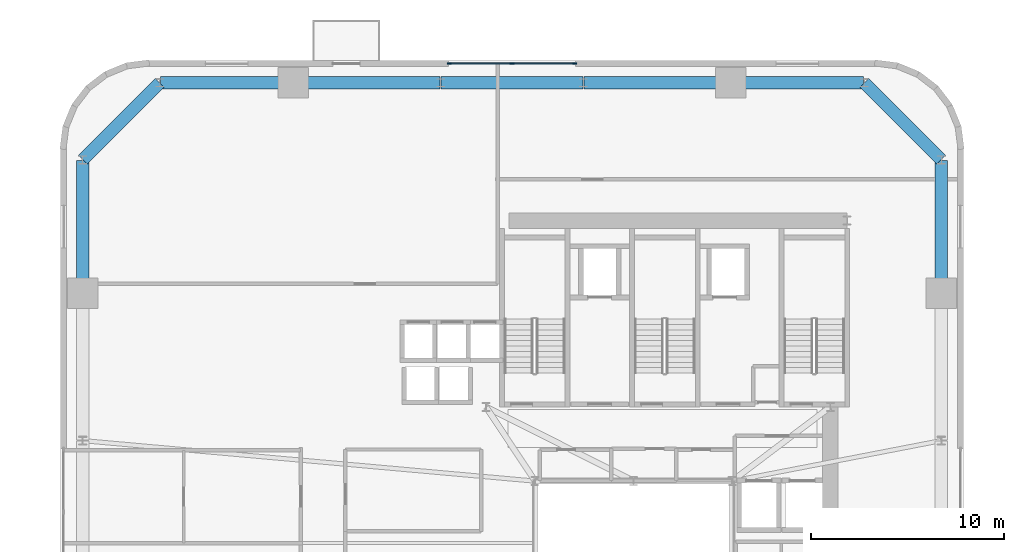
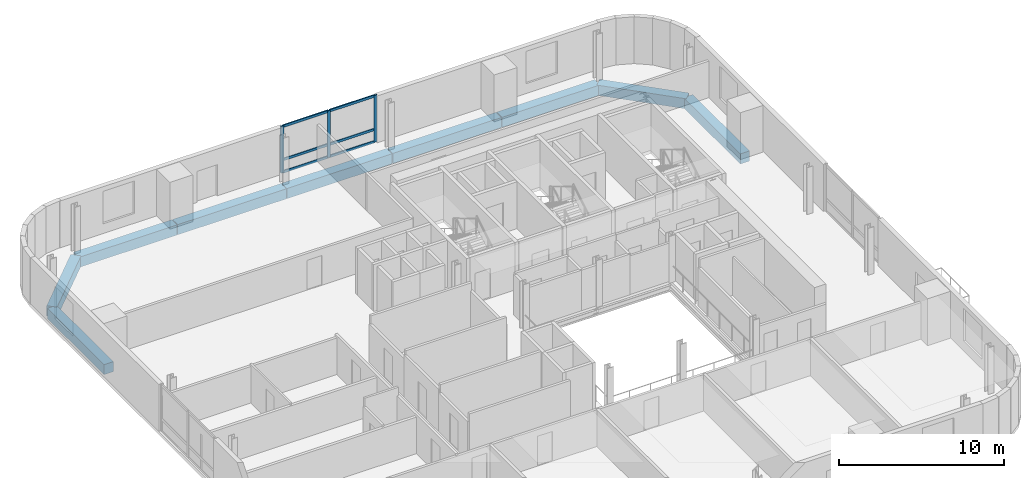
# One storey, part 4 of 13: 9 beams, 9 members, 1 element without a shape of its own.
"""IFC4 building model written with IfcOpenShell, lengths in metres."""

import ifcopenshell
import ifcopenshell.guid

model = None  # the IFC model being written
_history = None  # IfcOwnerHistory: only IFC2X3 demands one
_inside = {}  # id of a spatial element -> (the spatial element, [elements in it])
_under = {}  # id of a project, library or spatial element -> (it, [spatial elements below it])
_declared = {}  # id of a project -> (the project, [libraries it declares])
_typed = {}  # id of a type object -> (the type object, [elements of that type])
_made_of = {}  # id of a material, layer set ... -> (it, [elements and type objects made of it])


def new_model(schema):
    """Start an empty IFC model of exactly this schema.

    Asked for "IFC4X3", IfcOpenShell would pick the latest addendum, in which some entities
    have other attributes; the version numbers below select the first issue.
    IFC2X3 requires an IfcOwnerHistory on every rooted entity: one is made here for all.
    """
    global model, _history
    if schema == "IFC4X3":
        model = ifcopenshell.file(schema_version=(4, 3, 0, 0))
    else:
        model = ifcopenshell.file(schema=schema)
    _inside.clear()
    _under.clear()
    _declared.clear()
    _typed.clear()
    _made_of.clear()
    _history = None
    if model.schema == "IFC2X3":
        org = make("IfcOrganization", Name="unknown")
        user = make(
            "IfcPersonAndOrganization",
            ThePerson=make("IfcPerson", FamilyName="unknown"),
            TheOrganization=org,
        )
        app = make(
            "IfcApplication",
            ApplicationDeveloper=org,
            Version="unknown",
            ApplicationFullName="unknown",
            ApplicationIdentifier="unknown",
        )
        _history = make(
            "IfcOwnerHistory",
            OwningUser=user,
            OwningApplication=app,
            ChangeAction="ADDED",
            CreationDate=0,
        )
    return model


def make(cls, **values):
    """One entity of the class cls with the attributes given. An attribute that is None is left unset."""
    return model.create_entity(
        cls, **{name: value for name, value in values.items() if value is not None}
    )


def rooted(cls, **values):
    """An entity with a GlobalId (a new one), such as an element, a storey or a relation."""
    return make(cls, GlobalId=ifcopenshell.guid.new(), OwnerHistory=_history, **values)


def si_unit(unit_type, name, prefix=None):
    """IfcSIUnit, for example si_unit("LENGTHUNIT", "METRE", prefix="MILLI")."""
    return make("IfcSIUnit", UnitType=unit_type, Prefix=prefix, Name=name)


def assignment(units):
    """IfcUnitAssignment: the units of a project."""
    return None if units is None else make("IfcUnitAssignment", Units=units)


def point(xyz):
    """IfcCartesianPoint."""
    return None if xyz is None else make("IfcCartesianPoint", Coordinates=xyz)


def direction(xyz):
    """IfcDirection."""
    return None if xyz is None else make("IfcDirection", DirectionRatios=xyz)


def frame(location, z_axis=None, x_axis=None):
    """IfcAxis2Placement3D, a coordinate frame: its origin and axes. An axis left out is left unset."""
    return make(
        "IfcAxis2Placement3D",
        Location=point(location),
        Axis=direction(z_axis),
        RefDirection=direction(x_axis),
    )


def frame_2d(location, x_axis=None):
    """IfcAxis2Placement2D, a coordinate frame in the plane: its origin and x axis."""
    return make(
        "IfcAxis2Placement2D", Location=point(location), RefDirection=direction(x_axis)
    )


def origin():
    """The frame at (0, 0, 0) with its axes left unset."""
    return frame((0.0, 0.0, 0.0))


def origin_2d():
    """The frame at (0, 0) in the plane with its x axis left unset."""
    return frame_2d((0.0, 0.0))


def place(relative_to, where):
    """IfcLocalPlacement: puts the frame where relative to a parent placement (None: the world)."""
    return make(
        "IfcLocalPlacement", PlacementRelTo=relative_to, RelativePlacement=where
    )


def context(
    kind, dimensions, precision=None, world=None, true_north=None, identifier=None
):
    """IfcGeometricRepresentationContext, for example the 3D "Model" context."""
    return make(
        "IfcGeometricRepresentationContext",
        ContextIdentifier=identifier,
        ContextType=kind,
        CoordinateSpaceDimension=dimensions,
        Precision=precision,
        WorldCoordinateSystem=world,
        TrueNorth=true_north,
    )


def subcontext(parent, identifier, kind, view, scale=None):
    """IfcGeometricRepresentationSubContext, for example "Body" below "Model"."""
    return make(
        "IfcGeometricRepresentationSubContext",
        ContextIdentifier=identifier,
        ContextType=kind,
        ParentContext=parent,
        TargetScale=scale,
        TargetView=view,
    )


def project(units=None, contexts=None):
    """IfcProject with its units and contexts."""
    return rooted(
        "IfcProject",
        Name="project",
        RepresentationContexts=contexts,
        UnitsInContext=assignment(units),
    )


def spatial(cls, under=None, at=None, **own):
    """A site, building, storey or space (cls), placed at a placement, below another one or the project."""
    s = rooted(cls, ObjectPlacement=at, **own)
    if under is not None:
        _under.setdefault(under.id(), (under, []))[1].append(s)
    return s


def profile(cls, at=None, kind="AREA", **sizes):
    """A parametric profile (cls). Its sizes go by their IFC names, for example OverallWidth=200.0."""
    return make(cls, ProfileType=kind, Position=at, **sizes)


def rectangle(**sizes):
    """IfcRectangleProfileDef."""
    return profile("IfcRectangleProfileDef", **sizes)


def extrude(swept, where, along, depth):
    """IfcExtrudedAreaSolid: the profile swept, set in the frame where, extruded along a direction by depth."""
    return make(
        "IfcExtrudedAreaSolid",
        SweptArea=swept,
        Position=where,
        ExtrudedDirection=direction(along),
        Depth=depth,
    )


def shape(context_of_items, identifier, shape_type, items):
    """IfcShapeRepresentation: the items that make up one representation, for example the "Body"."""
    return make(
        "IfcShapeRepresentation",
        ContextOfItems=context_of_items,
        RepresentationIdentifier=identifier,
        RepresentationType=shape_type,
        Items=items,
    )


def source(mapping_origin, context_of_items, identifier, shape_type, items):
    """IfcRepresentationMap: a shape defined once, which mapped items show again and again."""
    return make(
        "IfcRepresentationMap",
        MappingOrigin=mapping_origin,
        MappedRepresentation=shape(context_of_items, identifier, shape_type, items),
    )


def transform(
    local_origin,
    x_axis=None,
    y_axis=None,
    z_axis=None,
    scale=None,
    scale2=None,
    scale3=None,
    uniform=True,
):
    """IfcCartesianTransformationOperator3D, or its non-uniform kind. x_axis, y_axis, z_axis: its Axis1, 2, 3."""
    if uniform:
        return make(
            "IfcCartesianTransformationOperator3D",
            Axis1=direction(x_axis),
            Axis2=direction(y_axis),
            LocalOrigin=point(local_origin),
            Scale=scale,
            Axis3=direction(z_axis),
        )
    return make(
        "IfcCartesianTransformationOperator3DnonUniform",
        Axis1=direction(x_axis),
        Axis2=direction(y_axis),
        LocalOrigin=point(local_origin),
        Scale=scale,
        Axis3=direction(z_axis),
        Scale2=scale2,
        Scale3=scale3,
    )


def mapped(mapping_source, mapping_target):
    """IfcMappedItem: shows the shape of a source again, moved by a transform."""
    return make(
        "IfcMappedItem", MappingSource=mapping_source, MappingTarget=mapping_target
    )


def material(Name=None, Category=None):
    """IfcMaterial."""
    return make("IfcMaterial", Name=Name, Category=Category)


def material_profile(
    of_material, cross_section, Name=None, Category=None, Priority=None
):
    """IfcMaterialProfile: a cross section and its material."""
    return make(
        "IfcMaterialProfile",
        Name=Name,
        Material=of_material,
        Profile=cross_section,
        Priority=Priority,
        Category=Category,
    )


def profile_set(profiles, Name=None, composite=None):
    """IfcMaterialProfileSet."""
    return make(
        "IfcMaterialProfileSet",
        Name=Name,
        MaterialProfiles=profiles,
        CompositeProfile=composite,
    )


def made_of(thing, what):
    """Note that an element or type object is made of a material, layer set ...; save() writes the relation."""
    if what is not None:
        _made_of.setdefault(what.id(), (what, []))[1].append(thing)
    return thing


def type_object(cls, material=None, **own):
    """A type object (cls), such as IfcWallType, which elements share."""
    return made_of(rooted(cls, **own), material)


def element(
    cls,
    number,
    at=None,
    inside=None,
    cuts=None,
    type_object=None,
    material=None,
    context=None,
    identifier="Body",
    shape_type=None,
    held_by="IfcProductDefinitionShape",
    body=None,
    shapes=None,
    **own,
):
    """One element of the class cls, such as IfcWall. Its Tag is "e" and its number.

    at: its placement. inside: the storey or other place that contains it. cuts: it is an
    opening in that element (IfcRelVoidsElement). A single representation is given by context,
    identifier, shape_type and body (its items); several are given by shapes. held_by: the class
    of the entity that holds the representations. save() writes the other relations.
    """
    e = rooted(cls, Tag="e%d" % number, ObjectPlacement=at, **own)
    if body is not None:
        shapes = [shape(context, identifier, shape_type, body)]
    if shapes is not None:
        e.Representation = make(held_by, Representations=shapes)
    if inside is not None:
        _inside.setdefault(inside.id(), (inside, []))[1].append(e)
    if cuts is not None:
        rooted(
            "IfcRelVoidsElement", RelatingBuildingElement=cuts, RelatedOpeningElement=e
        )
    if type_object is not None:
        _typed.setdefault(type_object.id(), (type_object, []))[1].append(e)
    return made_of(e, material)


def aggregate(whole, parts):
    """IfcRelAggregates: a whole, such as a stair, and the parts it consists of."""
    return rooted("IfcRelAggregates", RelatingObject=whole, RelatedObjects=parts)


def save(model, path):
    """Write the relations noted so far, then the file.

    IfcRelAggregates (storeys below a building ...), IfcRelContainedInSpatialStructure (elements
    in a storey), IfcRelDefinesByType, IfcRelAssociatesMaterial and IfcRelDeclares: one each for
    every whole, place, type object, material and project.
    """
    for whole, parts in _under.values():
        aggregate(whole, parts)
    for where, things in _inside.values():
        rooted(
            "IfcRelContainedInSpatialStructure",
            RelatedElements=things,
            RelatingStructure=where,
        )
    for kind, things in _typed.values():
        rooted("IfcRelDefinesByType", RelatedObjects=things, RelatingType=kind)
    for what, things in _made_of.values():
        rooted("IfcRelAssociatesMaterial", RelatedObjects=things, RelatingMaterial=what)
    for by, libraries in _declared.values():
        rooted("IfcRelDeclares", RelatingContext=by, RelatedDefinitions=libraries)
    model.write(path)


model = new_model("IFC4")

# Units and contexts
model_context = context("Model", 3, precision=1e-05, world=origin(), true_north=direction((0.0, 1.0)))
body_context = subcontext(model_context, "Body", "Model", "MODEL_VIEW")
ifc_project = project(units=[si_unit("LENGTHUNIT", "METRE"), si_unit("AREAUNIT", "SQUARE_METRE"), si_unit("VOLUMEUNIT", "CUBIC_METRE"), si_unit("PLANEANGLEUNIT", "RADIAN"), si_unit("MASSUNIT", "GRAM", prefix="KILO")], contexts=[model_context])

# Site, building, storey
site_placement = place(None, origin())
site = spatial("IfcSite", under=ifc_project, at=site_placement, CompositionType="ELEMENT")
building_placement = place(site_placement, origin())
building = spatial("IfcBuilding", under=site, at=building_placement, Name="Vardaveli Station Tower", CompositionType="ELEMENT")
storey_placement = place(building_placement, frame((0.0, 0.0, 115.0)))
storey = spatial("IfcBuildingStorey", under=building, at=storey_placement, Name="L29", CompositionType="ELEMENT", Elevation=115.0)

# Beams
ifc_material_1 = material(Name="Precast concrete C45/55", Category="concrete")
ifc_material_profile_1 = material_profile(ifc_material_1, rectangle(XDim=0.64990234375, YDim=0.75, at=origin_2d()), Name="LPB 650x750")
ifc_profile_set_1 = profile_set([ifc_material_profile_1], Name="Precast concrete C45/55")
beam_type = type_object("IfcBeamType", Name="BM-LPB-750", PredefinedType="BEAM", material=ifc_profile_set_1)
shared_shape_1 = source(origin(), body_context, "Body", "SweptSolid", [
    extrude(rectangle(XDim=0.64990234375, YDim=0.75, at=origin_2d()), origin(), (0.0, 0.0, 1.0), 7.60009765625),
])
for number, where, z_axis, x_axis, name in (
    (1, (41.320068359375, 47.449951171875, -0.614990234375), (-1.0, 0.0, 0.0), (0.0, -1.0, 0.0), "RBM-L29-13"),
    (2, (26.280029296875, 47.449951171875, -0.614990234375), (-1.0, 0.0, 0.0), (0.0, -1.0, 0.0), "RBM-L29-15"),
):
    element("IfcBeam", number, at=place(storey_placement, frame(where, z_axis=z_axis, x_axis=x_axis)), inside=storey, type_object=beam_type, Name=name, PredefinedType="BEAM", context=body_context, shape_type="MappedRepresentation", body=[
        mapped(shared_shape_1, transform((0.0, 0.0, 0.0), scale=1.0)),
    ])
shared_shape_2 = source(origin(), body_context, "Body", "SweptSolid", [
    extrude(rectangle(XDim=0.64990234375, YDim=0.75, at=origin_2d()), origin(), (0.0, 0.0, 1.0), 7.35986328125),
])
beam_placement = place(storey_placement, frame((33.679931640625, 47.449951171875, -0.614990234375), z_axis=(-1.0, 0.0, 0.0), x_axis=(0.0, -1.0, 0.0)))
element("IfcBeam", 3, at=beam_placement, inside=storey, type_object=beam_type, Name="RBM-L29-14", PredefinedType="BEAM", context=body_context, shape_type="MappedRepresentation", body=[
    mapped(shared_shape_2, transform((0.0, 0.0, 0.0), scale=1.0)),
])
shared_shape_3 = source(origin(), body_context, "Body", "SweptSolid", [
    extrude(rectangle(XDim=0.64990234375, YDim=0.75, at=origin_2d()), origin(), (0.0, 0.0, 1.0), 6.869873046875),
])
for number, where, z_axis, x_axis, name in (
    (4, (52.25, 36.56005859375, -0.614990234375), (0.0, 1.0, 0.0), (-1.0, 0.0, 0.0), "RBM-L29-10"),
    (5, (48.22998046875, 47.449951171875, -0.614990234375), (-1.0, 0.0, 0.0), (0.0, -1.0, 0.0), "RBM-L29-12"),
    (6, (18.639892578125, 47.449951171875, -0.614990234375), (-1.0, 0.0, 0.0), (0.0, -1.0, 0.0), "RBM-L29-16"),
    (7, (7.75, 43.429931640625, -0.614990234375), (0.0, -1.0, 0.0), (1.0, 0.0, 0.0), "RBM-L29-18"),
):
    element("IfcBeam", number, at=place(storey_placement, frame(where, z_axis=z_axis, x_axis=x_axis)), inside=storey, type_object=beam_type, Name=name, PredefinedType="BEAM", context=body_context, shape_type="MappedRepresentation", body=[
        mapped(shared_shape_3, transform((0.0, 0.0, 0.0), scale=1.0)),
    ])
shared_shape_4 = source(origin(), body_context, "Body", "SweptSolid", [
    extrude(rectangle(XDim=0.64990234375, YDim=0.75, at=origin_2d()), origin(), (0.0, 0.0, 1.0), 5.61669921875),
])
for number, where, z_axis, x_axis, name in (
    (8, (52.23583984375, 43.464111328125, -0.614990234375), (-0.707106781187, 0.707106781187, 0.0), (-0.707106781187, -0.707106781187, 0.0), "RBM-L29-11"),
    (9, (11.73583984375, 47.435791015625, -0.614990234375), (-0.707106781187, -0.707106781187, 0.0), (0.707106781187, -0.707106781187, 0.0), "RBM-L29-17"),
):
    element("IfcBeam", number, at=place(storey_placement, frame(where, z_axis=z_axis, x_axis=x_axis)), inside=storey, type_object=beam_type, Name=name, PredefinedType="BEAM", context=body_context, shape_type="MappedRepresentation", body=[
        mapped(shared_shape_4, transform((0.0, 0.0, 0.0), scale=1.0)),
    ])

# Curtain wall, members
ifc_material_2 = material(Name="Travertine stone and solar-control glass", Category="masonry")
curtain_wall_type = type_object("IfcCurtainWallType", Name="CW-SYS-2", PredefinedType="NOTDEFINED", material=ifc_material_2)
curtain_wall_placement = place(storey_placement, origin())
curtain_wall = element("IfcCurtainWall", 10, at=curtain_wall_placement, inside=storey, type_object=curtain_wall_type, Name="CW-L29-N", PredefinedType="NOTDEFINED")
ifc_material_3 = material(Name="Anodised aluminium alloy 6063-T6", Category="aluminium")
ifc_material_profile_2 = material_profile(ifc_material_3, rectangle(XDim=0.0849609375, YDim=0.179931640625, at=origin_2d()), Name="CWT 85x180")
ifc_profile_set_2 = profile_set([ifc_material_profile_2], Name="Anodised aluminium alloy 6063-T6")
member_type_1 = type_object("IfcMemberType", Name="CW-SYS-2-TRAN", PredefinedType="NOTDEFINED", material=ifc_profile_set_2)
shared_shape_5 = source(origin(), body_context, "Body", "SweptSolid", [
    extrude(rectangle(XDim=0.0849609375, YDim=0.179931640625, at=origin_2d()), origin(), (0.0, 0.0, 1.0), 3.172607421875),
])
member_1_placement = place(storey_placement, frame((33.215087890625, 48.43994140625, 0.04248046875), z_axis=(-1.0, 0.0, 0.0), x_axis=(0.0, -1.0, 0.0)))
member_1 = element("IfcMember", 11, at=member_1_placement, type_object=member_type_1, Name="CW-2 transom 1.1", ObjectType="TRANSOM", PredefinedType="USERDEFINED", context=body_context, shape_type="MappedRepresentation", body=[
    mapped(shared_shape_5, transform((0.0, 0.0, 0.0), scale=1.0)),
])
member_2_placement = place(storey_placement, frame((33.215087890625, 48.43994140625, 0.949951171875), z_axis=(-1.0, 0.0, 0.0), x_axis=(0.0, -1.0, 0.0)))
member_2 = element("IfcMember", 12, at=member_2_placement, type_object=member_type_1, Name="CW-2 transom 1.2", ObjectType="TRANSOM", PredefinedType="USERDEFINED", context=body_context, shape_type="MappedRepresentation", body=[
    mapped(shared_shape_5, transform((0.0, 0.0, 0.0), scale=1.0)),
])
member_3_placement = place(storey_placement, frame((33.215087890625, 48.43994140625, 3.41748046875), z_axis=(-1.0, 0.0, 0.0), x_axis=(0.0, -1.0, 0.0)))
member_3 = element("IfcMember", 13, at=member_3_placement, type_object=member_type_1, Name="CW-2 transom 1.3", ObjectType="TRANSOM", PredefinedType="USERDEFINED", context=body_context, shape_type="MappedRepresentation", body=[
    mapped(shared_shape_5, transform((0.0, 0.0, 0.0), scale=1.0)),
])
member_4_placement = place(storey_placement, frame((29.95751953125, 48.43994140625, 0.04248046875), z_axis=(-1.0, 0.0, 0.0), x_axis=(0.0, -1.0, 0.0)))
member_4 = element("IfcMember", 14, at=member_4_placement, type_object=member_type_1, Name="CW-2 transom 2.1", ObjectType="TRANSOM", PredefinedType="USERDEFINED", context=body_context, shape_type="MappedRepresentation", body=[
    mapped(shared_shape_5, transform((0.0, 0.0, 0.0), scale=1.0)),
])
member_5_placement = place(storey_placement, frame((29.95751953125, 48.43994140625, 0.949951171875), z_axis=(-1.0, 0.0, 0.0), x_axis=(0.0, -1.0, 0.0)))
member_5 = element("IfcMember", 15, at=member_5_placement, type_object=member_type_1, Name="CW-2 transom 2.2", ObjectType="TRANSOM", PredefinedType="USERDEFINED", context=body_context, shape_type="MappedRepresentation", body=[
    mapped(shared_shape_5, transform((0.0, 0.0, 0.0), scale=1.0)),
])
member_6_placement = place(storey_placement, frame((29.95751953125, 48.43994140625, 3.41748046875), z_axis=(-1.0, 0.0, 0.0), x_axis=(0.0, -1.0, 0.0)))
member_6 = element("IfcMember", 16, at=member_6_placement, type_object=member_type_1, Name="CW-2 transom 2.3", ObjectType="TRANSOM", PredefinedType="USERDEFINED", context=body_context, shape_type="MappedRepresentation", body=[
    mapped(shared_shape_5, transform((0.0, 0.0, 0.0), scale=1.0)),
])
ifc_material_profile_3 = material_profile(ifc_material_3, rectangle(XDim=0.0849609375, YDim=0.219970703125, at=origin_2d()), Name="CWM 85x220")
ifc_profile_set_3 = profile_set([ifc_material_profile_3], Name="Anodised aluminium alloy 6063-T6")
member_type_2 = type_object("IfcMemberType", Name="CW-SYS-2-MULL", PredefinedType="MULLION", material=ifc_profile_set_3)
shared_shape_6 = source(origin(), body_context, "Body", "SweptSolid", [
    extrude(rectangle(XDim=0.0849609375, YDim=0.219970703125, at=origin_2d()), origin(), (0.0, 0.0, 1.0), 3.4599609375),
])
member_7_placement = place(storey_placement, frame((33.257568359375, 48.43994140625, 0.0), z_axis=(0.0, 0.0, 1.0), x_axis=(0.0, -1.0, 0.0)))
member_7 = element("IfcMember", 17, at=member_7_placement, type_object=member_type_2, Name="CW-2 mullion 1", PredefinedType="MULLION", context=body_context, shape_type="MappedRepresentation", body=[
    mapped(shared_shape_6, transform((0.0, 0.0, 0.0), scale=1.0)),
])
member_8_placement = place(storey_placement, frame((30.0, 48.43994140625, 0.0), z_axis=(0.0, 0.0, 1.0), x_axis=(0.0, -1.0, 0.0)))
member_8 = element("IfcMember", 18, at=member_8_placement, type_object=member_type_2, Name="CW-2 mullion 2", PredefinedType="MULLION", context=body_context, shape_type="MappedRepresentation", body=[
    mapped(shared_shape_6, transform((0.0, 0.0, 0.0), scale=1.0)),
])
member_9_placement = place(storey_placement, frame((26.742431640625, 48.43994140625, 0.0), z_axis=(0.0, 0.0, 1.0), x_axis=(0.0, -1.0, 0.0)))
member_9 = element("IfcMember", 19, at=member_9_placement, type_object=member_type_2, Name="CW-2 mullion 3", PredefinedType="MULLION", context=body_context, shape_type="MappedRepresentation", body=[
    mapped(shared_shape_6, transform((0.0, 0.0, 0.0), scale=1.0)),
])
aggregate(curtain_wall, [member_7, member_8, member_9, member_1, member_2, member_3, member_4, member_5, member_6])

save(model, "model.ifc")
